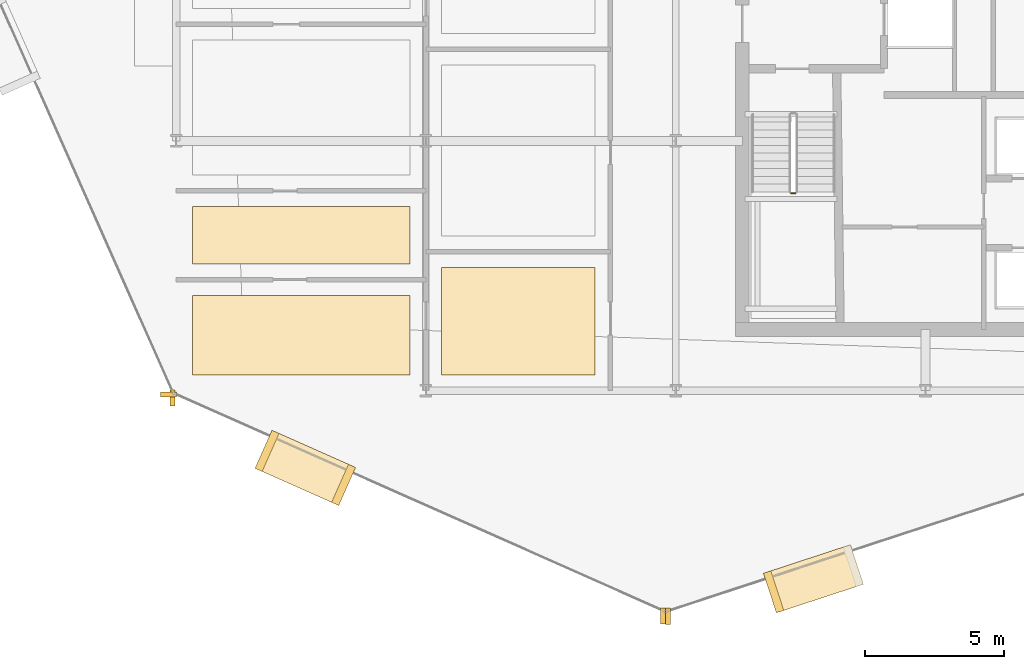
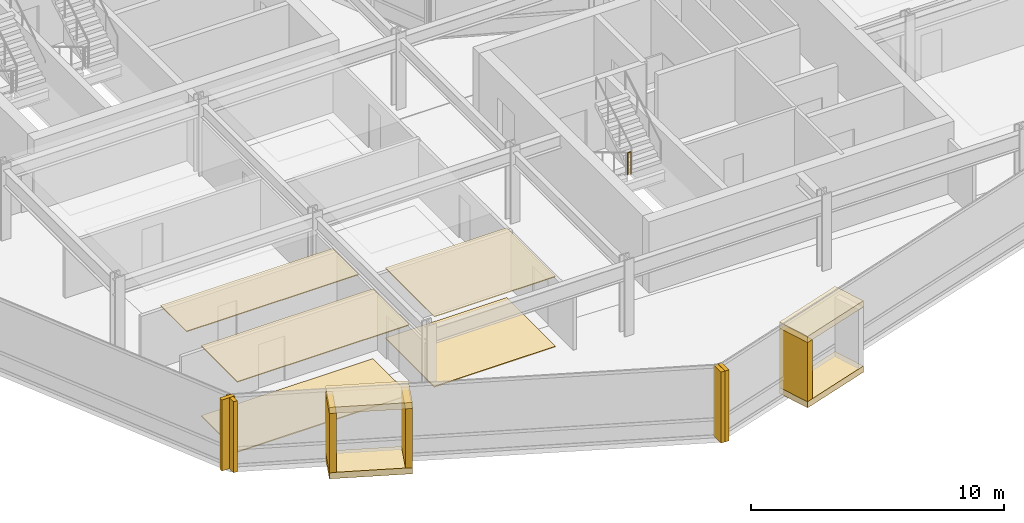
# One storey, part 24 of 28: 16 coverings, 1 railing.
"""IFC4 building model written with IfcOpenShell, lengths in metres."""

from ifc_helpers import new_model, si_unit, direction, frame, origin, origin_2d, place, context, subcontext, project, spatial, polyline, rectangle, circle, outline, extrude, material, layer, layer_set, type_object, element, save


model = new_model("IFC4")

# Units and contexts
model_context = context("Model", 3, precision=1e-05, world=origin(), true_north=direction((0.0, 1.0)))
body_context = subcontext(model_context, "Body", "Model", "MODEL_VIEW")
ifc_project = project(units=[si_unit("LENGTHUNIT", "METRE"), si_unit("AREAUNIT", "SQUARE_METRE"), si_unit("VOLUMEUNIT", "CUBIC_METRE"), si_unit("PLANEANGLEUNIT", "RADIAN"), si_unit("MASSUNIT", "GRAM", prefix="KILO")], contexts=[model_context])

# Site, building, storey
site_placement = place(None, origin())
site = spatial("IfcSite", under=ifc_project, at=site_placement, CompositionType="ELEMENT")
building_placement = place(site_placement, origin())
building = spatial("IfcBuilding", under=site, at=building_placement, Name="Solvaryn Broadcast Tower", CompositionType="ELEMENT")
storey_placement = place(building_placement, frame((0.0, 0.0, 132.199951171875)))
storey = spatial("IfcBuildingStorey", under=building, at=storey_placement, Name="L32", CompositionType="ELEMENT", Elevation=132.199951171875)

# Coverings
ifc_material_1 = material(Name="Micro-Perforated Acoustic Gypsum Ceiling", Category="concrete")
ifc_layer_1 = layer(ifc_material_1, 0.0400390625)
ifc_layer_set_1 = layer_set([ifc_layer_1], Name="CV-CEIL-ACOUSTIC")
covering_type_1 = type_object("IfcCoveringType", Name="CV-CEIL-ACOUSTIC", PredefinedType="CEILING", material=ifc_layer_set_1)
covering_1_placement = place(storey_placement, frame((0.0, 0.0, 3.380126953125)))
element("IfcCovering", 1, at=covering_1_placement, inside=storey, type_object=covering_type_1, Name="L32 Room Acoustic Ceiling 1", PredefinedType="CEILING", context=body_context, shape_type="SweptSolid", body=[
    extrude(outline(polyline([(18.570068359375, 9.570068359375), (24.10009765625, 9.570068359375), (24.10009765625, 13.429931640625), (18.570068359375, 13.429931640625), (18.570068359375, 9.570068359375)])), origin(), (0.0, 0.0, 1.0), 0.0400390625),
])
covering_2_placement = place(storey_placement, frame((0.0, 0.0, 3.380126953125)))
element("IfcCovering", 2, at=covering_2_placement, inside=storey, type_object=covering_type_1, Name="L32 Room Acoustic Ceiling 4", PredefinedType="CEILING", context=body_context, shape_type="SweptSolid", body=[
    extrude(outline(polyline([(9.60009765625, 9.570068359375), (17.429931640625, 9.570068359375), (17.429931640625, 12.429931640625), (9.60009765625, 12.429931640625), (9.60009765625, 9.570068359375)])), origin(), (0.0, 0.0, 1.0), 0.0400390625),
])
covering_3_placement = place(storey_placement, frame((0.0, 0.0, 3.380126953125)))
element("IfcCovering", 3, at=covering_3_placement, inside=storey, type_object=covering_type_1, Name="L32 Room Acoustic Ceiling 5", PredefinedType="CEILING", context=body_context, shape_type="SweptSolid", body=[
    extrude(outline(polyline([(9.60009765625, 13.570068359375), (17.429931640625, 13.570068359375), (17.429931640625, 15.6298828125), (9.60009765625, 15.6298828125), (9.60009765625, 13.570068359375)])), origin(), (0.0, 0.0, 1.0), 0.0400390625),
])
ifc_material_2 = material(Name="Newsroom Raised Data Access Flooring", Category="steel")
ifc_layer_2 = layer(ifc_material_2, 0.050048828125)
ifc_layer_set_2 = layer_set([ifc_layer_2], Name="CV-FLOOR-RAISED")
covering_type_2 = type_object("IfcCoveringType", Name="CV-FLOOR-RAISED", PredefinedType="FLOORING", material=ifc_layer_set_2)
covering_4_placement = place(storey_placement, origin())
element("IfcCovering", 4, at=covering_4_placement, inside=storey, type_object=covering_type_2, Name="L32 Room Acoustic Floor Finish 1", PredefinedType="FLOORING", context=body_context, shape_type="SweptSolid", body=[
    extrude(outline(polyline([(18.570068359375, 9.570068359375), (24.10009765625, 9.570068359375), (24.10009765625, 13.429931640625), (18.570068359375, 13.429931640625), (18.570068359375, 9.570068359375)])), origin(), (0.0, 0.0, 1.0), 0.050048828125),
])
covering_5_placement = place(storey_placement, origin())
element("IfcCovering", 5, at=covering_5_placement, inside=storey, type_object=covering_type_2, Name="L32 Room Acoustic Floor Finish 4", PredefinedType="FLOORING", context=body_context, shape_type="SweptSolid", body=[
    extrude(outline(polyline([(9.60009765625, 9.570068359375), (17.429931640625, 9.570068359375), (17.429931640625, 12.429931640625), (9.60009765625, 12.429931640625), (9.60009765625, 9.570068359375)])), origin(), (0.0, 0.0, 1.0), 0.050048828125),
])
ifc_material_3 = material(Name="Glazed Architectural Terracotta Rainscreen Cladding", Category="masonry")
ifc_layer_3 = layer(ifc_material_3, 0.280029296875)
ifc_layer_set_3 = layer_set([ifc_layer_3], Name="CV-TC-CLAD")
covering_type_3 = type_object("IfcCoveringType", Name="CV-TC-CLAD", PredefinedType="CLADDING", material=ifc_layer_set_3)
for number, where, z_axis, x_axis, name in (
    (6, (13.656982421875, 6.218994140625, 3.1298828125), (0.0, 0.0, 1.0), (0.913900054426, -0.405939269498, 0.0), "L32 Projecting Stone Window Box Hood 3"),
    (7, (13.656982421875, 6.218994140625, -0.009765625), (0.0, 0.0, 1.0), (0.913900054426, -0.405939269498, 0.0), "L32 Projecting Stone Window Box Sill 3"),
):
    element("IfcCovering", number, at=place(storey_placement, frame(where, z_axis=z_axis, x_axis=x_axis)), inside=storey, type_object=covering_type_3, Name=name, PredefinedType="CLADDING", context=body_context, shape_type="SweptSolid", body=[
        extrude(rectangle(XDim=3.300048828125, YDim=1.5, at=origin_2d()), origin(), (0.0, 0.0, 1.0), 0.300048828125),
    ])
for number, where, z_axis, x_axis, name in (
    (8, (12.277099609375, 6.83203125, 0.27978515625), (0.0, 0.0, 1.0), (0.913900054426, -0.405939269498, 0.0), "L32 Projecting Stone Window Box Cheek 3-1"),
    (9, (15.037109375, 5.60595703125, 0.27978515625), (0.0, 0.0, 1.0), (0.913900054426, -0.405939269498, 0.0), "L32 Projecting Stone Window Box Cheek 3-2"),
):
    element("IfcCovering", number, at=place(storey_placement, frame(where, z_axis=z_axis, x_axis=x_axis)), inside=storey, type_object=covering_type_3, Name=name, PredefinedType="CLADDING", context=body_context, shape_type="SweptSolid", body=[
        extrude(rectangle(XDim=0.280029296875, YDim=1.5, at=origin_2d()), origin(), (0.0, 0.0, 1.0), 2.860107421875),
    ])
for number, where, z_axis, x_axis, name in (
    (10, (31.9619140625, 2.222900390625, 3.1298828125), (0.0, 0.0, 1.0), (0.950189870912, 0.311671636848, 0.0), "L32 Projecting Stone Window Box Hood 4"),
    (11, (31.9619140625, 2.222900390625, -0.009765625), (0.0, 0.0, 1.0), (0.950189870912, 0.311671636848, 0.0), "L32 Projecting Stone Window Box Sill 4"),
):
    element("IfcCovering", number, at=place(storey_placement, frame(where, z_axis=z_axis, x_axis=x_axis)), inside=storey, type_object=covering_type_3, Name=name, PredefinedType="CLADDING", context=body_context, shape_type="SweptSolid", body=[
        extrude(rectangle(XDim=3.300048828125, YDim=1.5, at=origin_2d()), origin(), (0.0, 0.0, 1.0), 0.300048828125),
    ])
covering_6_placement = place(storey_placement, frame((30.527099609375, 1.75244140625, 0.27978515625), z_axis=(0.0, 0.0, 1.0), x_axis=(0.950189870912, 0.311671636848, 0.0)))
element("IfcCovering", 12, at=covering_6_placement, inside=storey, type_object=covering_type_3, Name="L32 Projecting Stone Window Box Cheek 4-1", PredefinedType="CLADDING", context=body_context, shape_type="SweptSolid", body=[
    extrude(rectangle(XDim=0.280029296875, YDim=1.5, at=origin_2d()), origin(), (0.0, 0.0, 1.0), 2.860107421875),
])
ifc_material_4 = material(Name="Extruded Architectural Terracotta Fin", Category="masonry")
ifc_layer_4 = layer(ifc_material_4, 0.179931640625)
ifc_layer_set_4 = layer_set([ifc_layer_4], Name="CV-TC-FIN")
covering_type_4 = type_object("IfcCoveringType", Name="CV-TC-FIN", PredefinedType="USERDEFINED", material=ifc_layer_set_4)
covering_7_placement = place(storey_placement, frame((8.731689453125, 8.86279296875, 0.0), z_axis=(0.0, 0.0, 1.0), x_axis=(1.0, 0.0, 0.0)))
element("IfcCovering", 13, at=covering_7_placement, inside=storey, type_object=covering_type_4, Name="L32 Terracotta Vertical Fin FIN-L32-DR2-M01", ObjectType="FIN", PredefinedType="USERDEFINED", context=body_context, shape_type="SweptSolid", body=[
    extrude(rectangle(XDim=0.580078125, YDim=0.179931640625, at=origin_2d()), origin(), (0.0, 0.0, 1.0), 3.419921875),
])
for number, where, z_axis, x_axis, name in (
    (14, (8.86279296875, 8.731689453125, 0.0), (0.0, 0.0, 1.0), (1.0, 0.0, 0.0), "L32 Terracotta Vertical Fin FIN-L32-DR3-M00"),
    (15, (26.535888671875, 0.8818359375, 0.0), (0.0, 0.0, 1.0), (1.0, 0.0, 0.0), "L32 Terracotta Vertical Fin FIN-L32-DR3-M01"),
    (16, (26.720703125, 0.872314453125, 0.0), (0.0, 0.0, 1.0), (1.0, 0.0, 0.0), "L32 Terracotta Vertical Fin FIN-L32-DR4-M00"),
):
    element("IfcCovering", number, at=place(storey_placement, frame(where, z_axis=z_axis, x_axis=x_axis)), inside=storey, type_object=covering_type_4, Name=name, ObjectType="FIN", PredefinedType="USERDEFINED", context=body_context, shape_type="SweptSolid", body=[
        extrude(rectangle(XDim=0.179931640625, YDim=0.580078125, at=origin_2d()), origin(), (0.0, 0.0, 1.0), 3.419921875),
    ])

# Railing
ifc_material_5 = material(Name="Painted Steel Stair Well Guard", Category="steel")
railing_type = type_object("IfcRailingType", Name="RL-STAIR-GUARD", PredefinedType="BALUSTRADE", material=ifc_material_5)
railing_placement = place(storey_placement, frame((31.159912109375, 16.110107421875, 1.85009765625)))
element("IfcRailing", 17, at=railing_placement, inside=storey, type_object=railing_type, Name="L32 ST3 stair guard 2", PredefinedType="BALUSTRADE", context=body_context, shape_type="SweptSolid", body=[
    extrude(circle(Radius=0.02392578125, at=origin_2d()), frame((0.0, 0.0, 1.076171875), z_axis=(1.0, 0.0, 0.0), x_axis=(0.0, 1.0, 0.0)), (0.0, 0.0, 1.0), 0.150146484375),
    extrude(circle(Radius=0.02099609375, at=origin_2d()), origin(), (0.0, 0.0, 1.0), 1.052001953125),
    extrude(circle(Radius=0.02099609375, at=origin_2d()), frame((0.150146484375, 0.0, 0.0)), (0.0, 0.0, 1.0), 1.052001953125),
])

save(model, "model.ifc")
